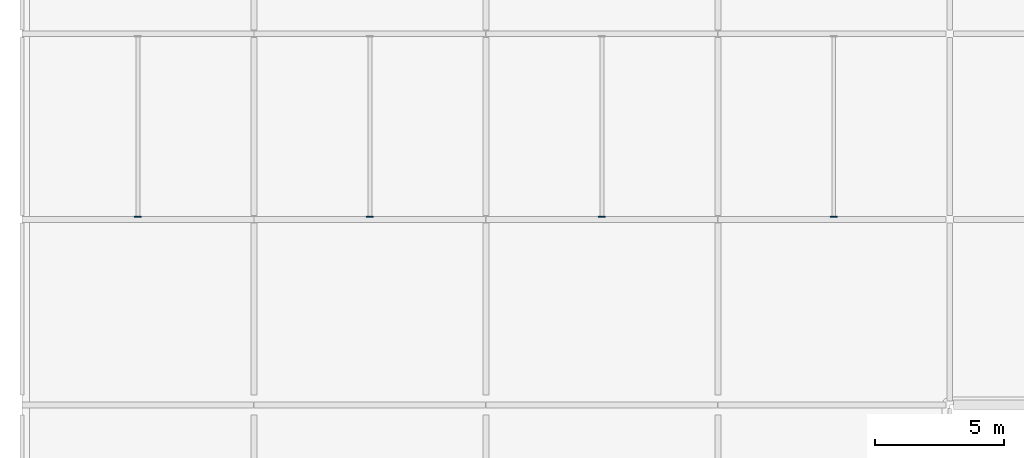
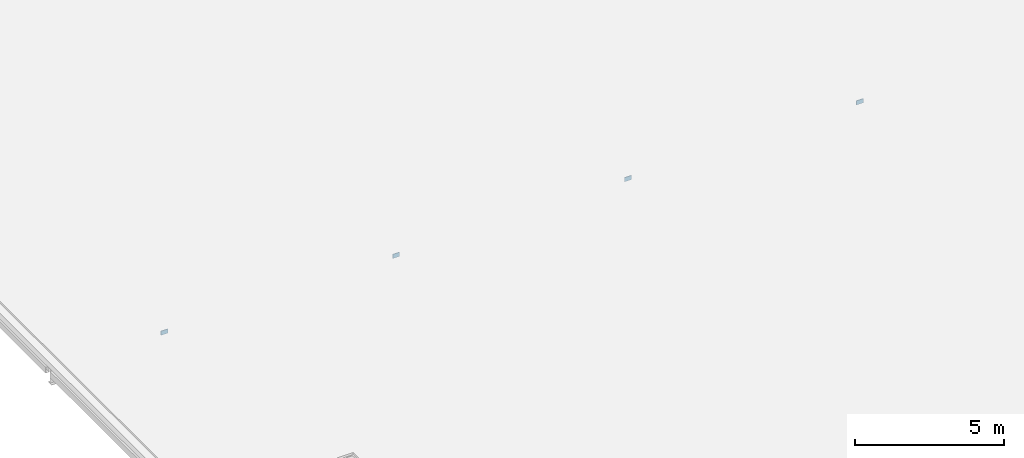
# One storey, part 3 of 7: 4 plates.
"""IFC4 building model written with IfcOpenShell, lengths in metres."""

import ifcopenshell
import ifcopenshell.guid

model = None  # the IFC model being written
_history = None  # IfcOwnerHistory: only IFC2X3 demands one
_inside = {}  # id of a spatial element -> (the spatial element, [elements in it])
_under = {}  # id of a project, library or spatial element -> (it, [spatial elements below it])
_declared = {}  # id of a project -> (the project, [libraries it declares])
_typed = {}  # id of a type object -> (the type object, [elements of that type])
_made_of = {}  # id of a material, layer set ... -> (it, [elements and type objects made of it])


def new_model(schema):
    """Start an empty IFC model of exactly this schema.

    Asked for "IFC4X3", IfcOpenShell would pick the latest addendum, in which some entities
    have other attributes; the version numbers below select the first issue.
    IFC2X3 requires an IfcOwnerHistory on every rooted entity: one is made here for all.
    """
    global model, _history
    if schema == "IFC4X3":
        model = ifcopenshell.file(schema_version=(4, 3, 0, 0))
    else:
        model = ifcopenshell.file(schema=schema)
    _inside.clear()
    _under.clear()
    _declared.clear()
    _typed.clear()
    _made_of.clear()
    _history = None
    if model.schema == "IFC2X3":
        org = make("IfcOrganization", Name="unknown")
        user = make(
            "IfcPersonAndOrganization",
            ThePerson=make("IfcPerson", FamilyName="unknown"),
            TheOrganization=org,
        )
        app = make(
            "IfcApplication",
            ApplicationDeveloper=org,
            Version="unknown",
            ApplicationFullName="unknown",
            ApplicationIdentifier="unknown",
        )
        _history = make(
            "IfcOwnerHistory",
            OwningUser=user,
            OwningApplication=app,
            ChangeAction="ADDED",
            CreationDate=0,
        )
    return model


def make(cls, **values):
    """One entity of the class cls with the attributes given. An attribute that is None is left unset."""
    return model.create_entity(
        cls, **{name: value for name, value in values.items() if value is not None}
    )


def rooted(cls, **values):
    """An entity with a GlobalId (a new one), such as an element, a storey or a relation."""
    return make(cls, GlobalId=ifcopenshell.guid.new(), OwnerHistory=_history, **values)


def si_unit(unit_type, name, prefix=None):
    """IfcSIUnit, for example si_unit("LENGTHUNIT", "METRE", prefix="MILLI")."""
    return make("IfcSIUnit", UnitType=unit_type, Prefix=prefix, Name=name)


def assignment(units):
    """IfcUnitAssignment: the units of a project."""
    return None if units is None else make("IfcUnitAssignment", Units=units)


def point(xyz):
    """IfcCartesianPoint."""
    return None if xyz is None else make("IfcCartesianPoint", Coordinates=xyz)


def direction(xyz):
    """IfcDirection."""
    return None if xyz is None else make("IfcDirection", DirectionRatios=xyz)


def frame(location, z_axis=None, x_axis=None):
    """IfcAxis2Placement3D, a coordinate frame: its origin and axes. An axis left out is left unset."""
    return make(
        "IfcAxis2Placement3D",
        Location=point(location),
        Axis=direction(z_axis),
        RefDirection=direction(x_axis),
    )


def frame_2d(location, x_axis=None):
    """IfcAxis2Placement2D, a coordinate frame in the plane: its origin and x axis."""
    return make(
        "IfcAxis2Placement2D", Location=point(location), RefDirection=direction(x_axis)
    )


def origin():
    """The frame at (0, 0, 0) with its axes left unset."""
    return frame((0.0, 0.0, 0.0))


def origin_2d():
    """The frame at (0, 0) in the plane with its x axis left unset."""
    return frame_2d((0.0, 0.0))


def place(relative_to, where):
    """IfcLocalPlacement: puts the frame where relative to a parent placement (None: the world)."""
    return make(
        "IfcLocalPlacement", PlacementRelTo=relative_to, RelativePlacement=where
    )


def context(
    kind, dimensions, precision=None, world=None, true_north=None, identifier=None
):
    """IfcGeometricRepresentationContext, for example the 3D "Model" context."""
    return make(
        "IfcGeometricRepresentationContext",
        ContextIdentifier=identifier,
        ContextType=kind,
        CoordinateSpaceDimension=dimensions,
        Precision=precision,
        WorldCoordinateSystem=world,
        TrueNorth=true_north,
    )


def subcontext(parent, identifier, kind, view, scale=None):
    """IfcGeometricRepresentationSubContext, for example "Body" below "Model"."""
    return make(
        "IfcGeometricRepresentationSubContext",
        ContextIdentifier=identifier,
        ContextType=kind,
        ParentContext=parent,
        TargetScale=scale,
        TargetView=view,
    )


def project(units=None, contexts=None):
    """IfcProject with its units and contexts."""
    return rooted(
        "IfcProject",
        Name="project",
        RepresentationContexts=contexts,
        UnitsInContext=assignment(units),
    )


def spatial(cls, under=None, at=None, **own):
    """A site, building, storey or space (cls), placed at a placement, below another one or the project."""
    s = rooted(cls, ObjectPlacement=at, **own)
    if under is not None:
        _under.setdefault(under.id(), (under, []))[1].append(s)
    return s


def profile(cls, at=None, kind="AREA", **sizes):
    """A parametric profile (cls). Its sizes go by their IFC names, for example OverallWidth=200.0."""
    return make(cls, ProfileType=kind, Position=at, **sizes)


def rectangle(**sizes):
    """IfcRectangleProfileDef."""
    return profile("IfcRectangleProfileDef", **sizes)


def extrude(swept, where, along, depth):
    """IfcExtrudedAreaSolid: the profile swept, set in the frame where, extruded along a direction by depth."""
    return make(
        "IfcExtrudedAreaSolid",
        SweptArea=swept,
        Position=where,
        ExtrudedDirection=direction(along),
        Depth=depth,
    )


def shape(context_of_items, identifier, shape_type, items):
    """IfcShapeRepresentation: the items that make up one representation, for example the "Body"."""
    return make(
        "IfcShapeRepresentation",
        ContextOfItems=context_of_items,
        RepresentationIdentifier=identifier,
        RepresentationType=shape_type,
        Items=items,
    )


def material(Name=None, Category=None):
    """IfcMaterial."""
    return make("IfcMaterial", Name=Name, Category=Category)


def layer(
    of_material, thickness, ventilated=None, Name=None, Category=None, Priority=None
):
    """IfcMaterialLayer: one layer of a wall or slab, of a material (None: an air gap)."""
    return make(
        "IfcMaterialLayer",
        Material=of_material,
        LayerThickness=thickness,
        IsVentilated=ventilated,
        Name=Name,
        Category=Category,
        Priority=Priority,
    )


def layer_set(layers, Name=None):
    """IfcMaterialLayerSet."""
    return make("IfcMaterialLayerSet", MaterialLayers=layers, LayerSetName=Name)


def made_of(thing, what):
    """Note that an element or type object is made of a material, layer set ...; save() writes the relation."""
    if what is not None:
        _made_of.setdefault(what.id(), (what, []))[1].append(thing)
    return thing


def type_object(cls, material=None, **own):
    """A type object (cls), such as IfcWallType, which elements share."""
    return made_of(rooted(cls, **own), material)


def element(
    cls,
    number,
    at=None,
    inside=None,
    cuts=None,
    type_object=None,
    material=None,
    context=None,
    identifier="Body",
    shape_type=None,
    held_by="IfcProductDefinitionShape",
    body=None,
    shapes=None,
    **own,
):
    """One element of the class cls, such as IfcWall. Its Tag is "e" and its number.

    at: its placement. inside: the storey or other place that contains it. cuts: it is an
    opening in that element (IfcRelVoidsElement). A single representation is given by context,
    identifier, shape_type and body (its items); several are given by shapes. held_by: the class
    of the entity that holds the representations. save() writes the other relations.
    """
    e = rooted(cls, Tag="e%d" % number, ObjectPlacement=at, **own)
    if body is not None:
        shapes = [shape(context, identifier, shape_type, body)]
    if shapes is not None:
        e.Representation = make(held_by, Representations=shapes)
    if inside is not None:
        _inside.setdefault(inside.id(), (inside, []))[1].append(e)
    if cuts is not None:
        rooted(
            "IfcRelVoidsElement", RelatingBuildingElement=cuts, RelatedOpeningElement=e
        )
    if type_object is not None:
        _typed.setdefault(type_object.id(), (type_object, []))[1].append(e)
    return made_of(e, material)


def aggregate(whole, parts):
    """IfcRelAggregates: a whole, such as a stair, and the parts it consists of."""
    return rooted("IfcRelAggregates", RelatingObject=whole, RelatedObjects=parts)


def save(model, path):
    """Write the relations noted so far, then the file.

    IfcRelAggregates (storeys below a building ...), IfcRelContainedInSpatialStructure (elements
    in a storey), IfcRelDefinesByType, IfcRelAssociatesMaterial and IfcRelDeclares: one each for
    every whole, place, type object, material and project.
    """
    for whole, parts in _under.values():
        aggregate(whole, parts)
    for where, things in _inside.values():
        rooted(
            "IfcRelContainedInSpatialStructure",
            RelatedElements=things,
            RelatingStructure=where,
        )
    for kind, things in _typed.values():
        rooted("IfcRelDefinesByType", RelatedObjects=things, RelatingType=kind)
    for what, things in _made_of.values():
        rooted("IfcRelAssociatesMaterial", RelatedObjects=things, RelatingMaterial=what)
    for by, libraries in _declared.values():
        rooted("IfcRelDeclares", RelatingContext=by, RelatedDefinitions=libraries)
    model.write(path)


model = new_model("IFC4")

# Units and contexts
model_context = context("Model", 3, precision=1e-05, world=origin(), true_north=direction((0.0, 1.0)))
body_context = subcontext(model_context, "Body", "Model", "MODEL_VIEW")
ifc_project = project(units=[si_unit("LENGTHUNIT", "METRE"), si_unit("AREAUNIT", "SQUARE_METRE"), si_unit("VOLUMEUNIT", "CUBIC_METRE"), si_unit("PLANEANGLEUNIT", "RADIAN"), si_unit("MASSUNIT", "GRAM", prefix="KILO")], contexts=[model_context])

# Site, building, storey
site_placement = place(None, origin())
site = spatial("IfcSite", under=ifc_project, at=site_placement, CompositionType="ELEMENT")
building_placement = place(site_placement, origin())
building = spatial("IfcBuilding", under=site, at=building_placement, Name="Celestram Park Convention Centre", CompositionType="ELEMENT")
storey_placement = place(building_placement, frame((0.0, 0.0, 28.800048828125)))
storey = spatial("IfcBuildingStorey", under=building, at=storey_placement, Name="RF", CompositionType="ELEMENT", Elevation=28.800048828125)

# Plates
ifc_material = material(Name="Steel ASTM A572 Grade 50", Category="steel")
ifc_layer = layer(ifc_material, 0.02490234375)
ifc_layer_set = layer_set([ifc_layer], Name="Steel ASTM A572 Grade 50")
plate_type = type_object("IfcPlateType", Name="STR-PLT-EC250", PredefinedType="USERDEFINED", material=ifc_layer_set)
for number, where, z_axis, x_axis, name in (
    (1, (40.5, 136.89794921875, -0.449951171875), (0.0, 0.0, 1.0), (1.0, 0.0, 0.0), "HSS purlin end closure cap plate EC-RF-187"),
    (2, (49.5, 136.89794921875, -0.449951171875), (0.0, 0.0, 1.0), (1.0, 0.0, 0.0), "HSS purlin end closure cap plate EC-RF-189"),
    (3, (58.5, 136.89794921875, -0.449951171875), (0.0, 0.0, 1.0), (1.0, 0.0, 0.0), "HSS purlin end closure cap plate EC-RF-191"),
    (4, (67.5, 136.89794921875, -0.449951171875), (0.0, 0.0, 1.0), (1.0, 0.0, 0.0), "HSS purlin end closure cap plate EC-RF-193"),
):
    element("IfcPlate", number, at=place(storey_placement, frame(where, z_axis=z_axis, x_axis=x_axis)), inside=storey, type_object=plate_type, Name=name, ObjectType="GUSSET_PLATE", PredefinedType="USERDEFINED", context=body_context, shape_type="SweptSolid", body=[
        extrude(rectangle(XDim=0.27001953125, YDim=0.02490234375, at=origin_2d()), origin(), (0.0, 0.0, 1.0), 0.169921875),
    ])

save(model, "model.ifc")
